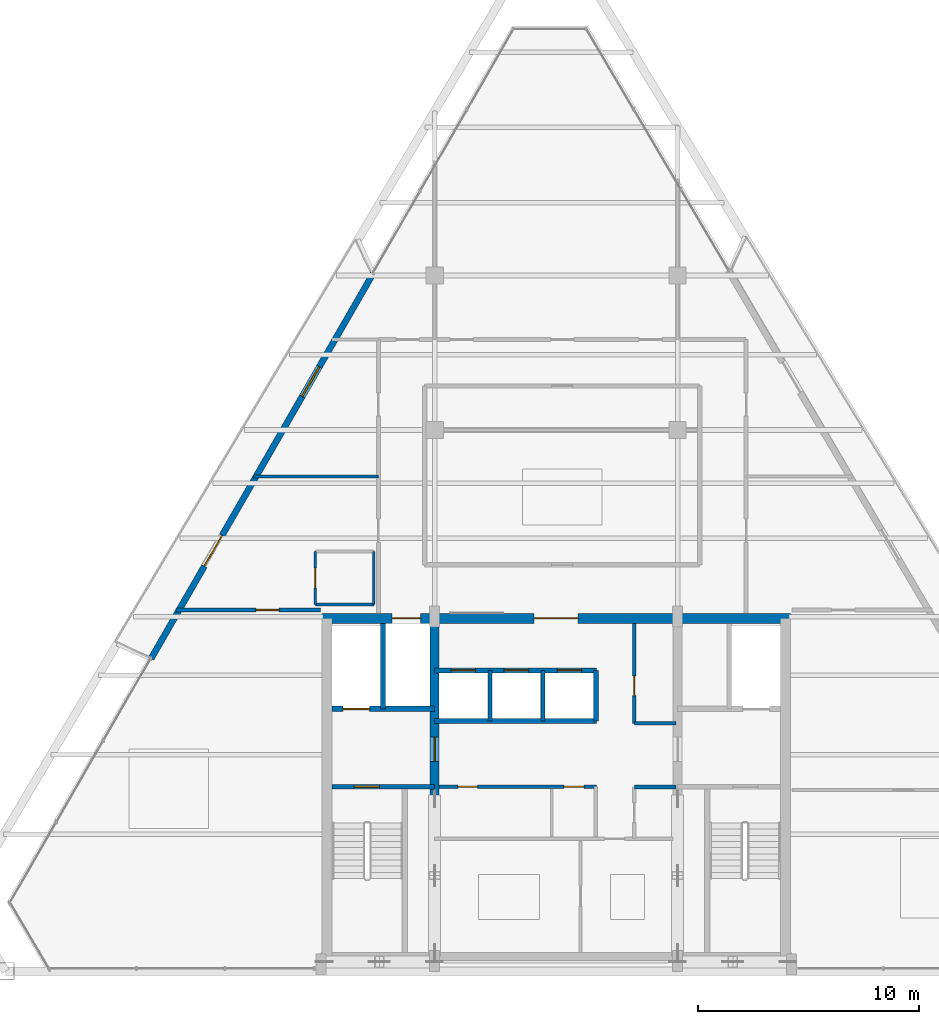
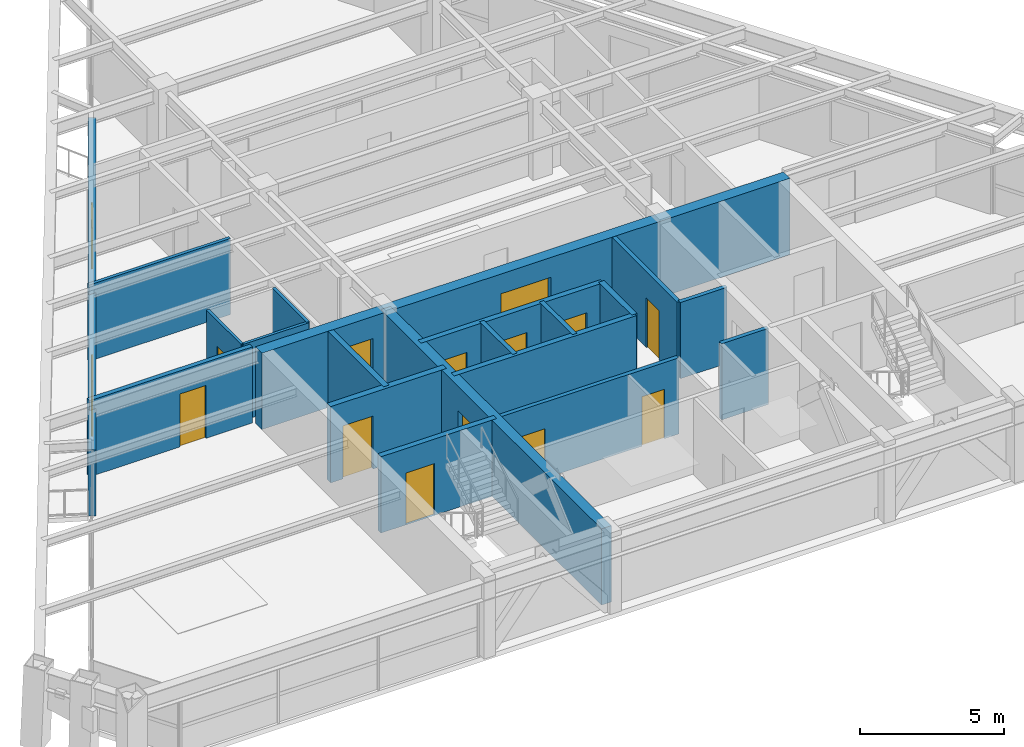
# One storey, part 9 of 13: 20 walls, 14 doors, 1 window, 15 openings.
"""IFC4 building model written with IfcOpenShell, lengths in metres."""

from ifc_helpers import new_model, si_unit, direction, frame, frame_2d, origin, place, context, subcontext, project, spatial, rectangle, extrude, source, transform, mapped, material, layer, layer_set, type_object, type_shapes, element, fill, save


model = new_model("IFC4")

# Units and contexts
model_context = context("Model", 3, precision=1e-05, world=origin(), true_north=direction((0.0, 1.0)))
body_context = subcontext(model_context, "Body", "Model", "MODEL_VIEW")
ifc_project = project(units=[si_unit("LENGTHUNIT", "METRE"), si_unit("AREAUNIT", "SQUARE_METRE"), si_unit("VOLUMEUNIT", "CUBIC_METRE"), si_unit("PLANEANGLEUNIT", "RADIAN"), si_unit("MASSUNIT", "GRAM", prefix="KILO")], contexts=[model_context])

# Site, building, storey
site_placement = place(None, origin())
site = spatial("IfcSite", under=ifc_project, at=site_placement, CompositionType="ELEMENT")
building_placement = place(site_placement, origin())
building = spatial("IfcBuilding", under=site, at=building_placement, Name="Varnakhor Terracotta Tower", CompositionType="ELEMENT")
storey_placement = place(building_placement, frame((0.0, 0.0, 279.89990234375)))
storey = spatial("IfcBuildingStorey", under=building, at=storey_placement, Name="L73", CompositionType="ELEMENT", Elevation=279.89990234375)

# Wall
ifc_material_1 = material(Name="Moisture-Resistant Tile-Backed Partition", Category="gypsum")
ifc_layer_1 = layer(ifc_material_1, 0.114990234375, Name="Moisture-Resistant Tile-Backed Partition")
ifc_layer_set_1 = layer_set([ifc_layer_1], Name="Moisture-Resistant Tile-Backed Partition")
wall_type_1 = type_object("IfcWallType", Name="WAL-BATH-115", PredefinedType="PARTITIONING", material=ifc_layer_set_1)
wall_1_placement = place(storey_placement, frame((-10.89990234375, 16.60009765625, 0.0), z_axis=(0.0, 0.0, 1.0), x_axis=(1.0, 0.0, 0.0)))
element("IfcWall", 1, at=wall_1_placement, inside=storey, type_object=wall_type_1, Name="L73 En-Suite 1 Wall S", PredefinedType="PARTITIONING", context=body_context, shape_type="SweptSolid", body=[
    extrude(rectangle(XDim=2.64990234375, YDim=0.114990234375, at=frame_2d((1.324951171875, 0.0))), origin(), (0.0, 0.0, 1.0), 3.232177734375),
])

# Wall, opening, door
wall_2_placement = place(storey_placement, frame((-10.89990234375, 16.60009765625, 0.0), z_axis=(0.0, 0.0, 1.0), x_axis=(0.0, 1.0, 0.0)))
wall_2 = element("IfcWall", 2, at=wall_2_placement, inside=storey, type_object=wall_type_1, Name="L73 En-Suite 1 Wall W", PredefinedType="PARTITIONING", context=body_context, shape_type="SweptSolid", body=[
    extrude(rectangle(XDim=2.39990234375, YDim=0.114990234375, at=frame_2d((1.199951171875, 0.0))), origin(), (0.0, 0.0, 1.0), 3.232177734375),
])
opening_1_placement = place(wall_2_placement, frame((0.75, 0.0, 0.0)))
opening_1 = element("IfcOpeningElement", 3, at=opening_1_placement, cuts=wall_2, Name="Opening DR-93", PredefinedType="OPENING", context=body_context, shape_type="SweptSolid", body=[
    extrude(rectangle(XDim=0.89990234375, YDim=2.14990234375, at=frame_2d((0.449951171875, 1.074951171875))), frame((0.0, 0.0673828125, 0.0), z_axis=(0.0, -1.0, 0.0), x_axis=(1.0, 0.0, 0.0)), (0.0, 0.0, 1.0), 0.135009765625),
])
ifc_material_2 = material(Name="Moisture-Resistant Accessible Bathroom Door", Category="wood")
door_type_1 = type_object("IfcDoorType", Name="DR-BATH-900X2150", OperationType="NOTDEFINED", PredefinedType="DOOR", material=ifc_material_2)
shared_shape_1 = source(origin(), body_context, "Body", "SweptSolid", [
    extrude(rectangle(XDim=0.89990234375, YDim=2.14990234375, at=frame_2d((0.449951171875, 1.074951171875))), frame((0.0, 0.02490234375, 0.0), z_axis=(0.0, -1.0, 0.0), x_axis=(1.0, 0.0, 0.0)), (0.0, 0.0, 1.0), 0.050048828125),
])
type_shapes(door_type_1, [shared_shape_1])
door_1_placement = place(opening_1_placement, origin())
door_1 = element("IfcDoor", 4, at=door_1_placement, inside=storey, type_object=door_type_1, Name="L73 En-Suite Bathroom 1 Door", OperationType="SINGLE_SWING_RIGHT", OverallHeight=2.14990234375, OverallWidth=0.89990234375, PredefinedType="DOOR", context=body_context, shape_type="MappedRepresentation", body=[
    mapped(shared_shape_1, transform((0.0, 0.0, 0.0), scale=1.0)),
])
fill(opening_1, door_1)

# Wall
wall_3_placement = place(storey_placement, frame((-8.25, 16.60009765625, 0.0), z_axis=(0.0, 0.0, 1.0), x_axis=(0.0, 1.0, 0.0)))
element("IfcWall", 5, at=wall_3_placement, inside=storey, type_object=wall_type_1, Name="L73 En-Suite 1 Wall E", PredefinedType="PARTITIONING", context=body_context, shape_type="SweptSolid", body=[
    extrude(rectangle(XDim=2.39990234375, YDim=0.114990234375, at=frame_2d((1.199951171875, 0.0))), origin(), (0.0, 0.0, 1.0), 3.232177734375),
])

# Wall, openings, doors
ifc_material_3 = material(Name="Concrete C50/60", Category="concrete")
ifc_layer_2 = layer(ifc_material_3, 0.449951171875, Name="Concrete C50/60")
ifc_layer_set_2 = layer_set([ifc_layer_2], Name="Concrete C50/60")
wall_type_2 = type_object("IfcWallType", Name="WAL-CORE-450", PredefinedType="SHEAR", material=ifc_layer_set_2)
wall_4_placement = place(storey_placement, frame((-10.60009765625, 15.97509765625, 0.0), z_axis=(0.0, 0.0, 1.0), x_axis=(1.0, 0.0, 0.0)))
wall_4 = element("IfcWall", 6, at=wall_4_placement, inside=storey, type_object=wall_type_2, Name="L73 North Core Shear Wall", PredefinedType="SHEAR", context=body_context, shape_type="SweptSolid", body=[
    extrude(rectangle(XDim=21.2001953125, YDim=0.449951171875, at=frame_2d((10.60009765625, 0.0))), origin(), (0.0, 0.0, 1.0), 3.239990234375),
])
opening_2_placement = place(wall_4_placement, frame((3.169921875, 0.0, 0.0)))
opening_2 = element("IfcOpeningElement", 7, at=opening_2_placement, cuts=wall_4, Name="Opening LD-03", PredefinedType="OPENING", context=body_context, shape_type="SweptSolid", body=[
    extrude(rectangle(XDim=1.300048828125, YDim=2.300048828125, at=frame_2d((0.64990234375, 1.14990234375))), frame((0.0, 0.23486328125, 0.0), z_axis=(0.0, -1.0, 0.0), x_axis=(1.0, 0.0, 0.0)), (0.0, 0.0, 1.0), 0.469970703125),
])
opening_3_placement = place(wall_4_placement, frame((9.60009765625, 0.0, 0.0)))
opening_3 = element("IfcOpeningElement", 8, at=opening_3_placement, cuts=wall_4, Name="Opening DR-32", PredefinedType="OPENING", context=body_context, shape_type="SweptSolid", body=[
    extrude(rectangle(XDim=2.0, YDim=2.39990234375, at=frame_2d((1.0, 1.199951171875))), frame((0.0, 0.23486328125, 0.0), z_axis=(0.0, -1.0, 0.0), x_axis=(1.0, 0.0, 0.0)), (0.0, 0.0, 1.0), 0.469970703125),
])
ifc_material_4 = material(Name="Heavy-Duty Goods Sliding Lift Landing Door", Category="steel")
door_type_2 = type_object("IfcDoorType", Name="LD-SRV-1300X2300", OperationType="NOTDEFINED", PredefinedType="DOOR", material=ifc_material_4)
shared_shape_2 = source(origin(), body_context, "Body", "SweptSolid", [
    extrude(rectangle(XDim=1.300048828125, YDim=2.300048828125, at=frame_2d((0.64990234375, 1.14990234375))), frame((0.0, 0.02490234375, 0.0), z_axis=(0.0, -1.0, 0.0), x_axis=(1.0, 0.0, 0.0)), (0.0, 0.0, 1.0), 0.050048828125),
])
type_shapes(door_type_2, [shared_shape_2])
door_2_placement = place(opening_2_placement, origin())
door_2 = element("IfcDoor", 9, at=door_2_placement, inside=storey, type_object=door_type_2, Name="L73 Service Lift SVL-1 Landing Door", OperationType="SLIDING_TO_RIGHT", OverallHeight=2.300048828125, OverallWidth=1.300048828125, PredefinedType="DOOR", context=body_context, shape_type="MappedRepresentation", body=[
    mapped(shared_shape_2, transform((0.0, 0.0, 0.0), scale=1.0)),
])
fill(opening_2, door_2)
ifc_material_5 = material(Name="Acoustic Double Assembly Fire Door", Category="wood")
door_type_3 = type_object("IfcDoorType", Name="DR-HALL-2000X2400", OperationType="NOTDEFINED", PredefinedType="DOOR", material=ifc_material_5)
shared_shape_3 = source(origin(), body_context, "Body", "SweptSolid", [
    extrude(rectangle(XDim=2.0, YDim=2.39990234375, at=frame_2d((1.0, 1.199951171875))), frame((0.0, 0.02490234375, 0.0), z_axis=(0.0, -1.0, 0.0), x_axis=(1.0, 0.0, 0.0)), (0.0, 0.0, 1.0), 0.050048828125),
])
type_shapes(door_type_3, [shared_shape_3])
door_3_placement = place(opening_3_placement, origin())
door_3 = element("IfcDoor", 10, at=door_3_placement, inside=storey, type_object=door_type_3, Name="L73 Core Main Lobby Double Door", OperationType="DOUBLE_DOOR_SINGLE_SWING", OverallHeight=2.39990234375, OverallWidth=2.0, PredefinedType="DOOR", context=body_context, shape_type="MappedRepresentation", body=[
    mapped(shared_shape_3, transform((0.0, 0.0, 0.0), scale=1.0)),
])
fill(opening_3, door_3)

# Wall, opening, door
ifc_layer_3 = layer(ifc_material_3, 0.39990234375, Name="Concrete C50/60")
ifc_layer_set_3 = layer_set([ifc_layer_3], Name="Concrete C50/60")
wall_type_3 = type_object("IfcWallType", Name="WAL-CORE-WEB-400", PredefinedType="SHEAR", material=ifc_layer_set_3)
wall_5_placement = place(storey_placement, frame((-5.5, 0.625, 0.0), z_axis=(0.0, 0.0, 1.0), x_axis=(0.0, 1.0, 0.0)))
wall_5 = element("IfcWall", 11, at=wall_5_placement, inside=storey, type_object=wall_type_3, Name="L73 West Core Web Shear Wall", PredefinedType="SHEAR", context=body_context, shape_type="SweptSolid", body=[
    extrude(rectangle(XDim=15.35009765625, YDim=0.39990234375, at=frame_2d((7.675048828125, 0.0))), origin(), (0.0, 0.0, 1.0), 3.239990234375),
])
opening_4_placement = place(wall_5_placement, frame((8.875, 0.0, 0.0)))
opening_4 = element("IfcOpeningElement", 12, at=opening_4_placement, cuts=wall_5, Name="Opening DR-25", PredefinedType="OPENING", context=body_context, shape_type="SweptSolid", body=[
    extrude(rectangle(XDim=1.10009765625, YDim=2.199951171875, at=frame_2d((0.550048828125, 1.10009765625))), frame((0.0, 0.2099609375, 0.0), z_axis=(0.0, -1.0, 0.0), x_axis=(1.0, 0.0, 0.0)), (0.0, 0.0, 1.0), 0.419921875),
])
ifc_material_6 = material(Name="Firefighting Lobby Self-Closing Fire Door", Category="steel")
door_type_4 = type_object("IfcDoorType", Name="DR-FFL-1100X2200", OperationType="NOTDEFINED", PredefinedType="DOOR", material=ifc_material_6)
shared_shape_4 = source(origin(), body_context, "Body", "SweptSolid", [
    extrude(rectangle(XDim=1.10009765625, YDim=2.199951171875, at=frame_2d((0.550048828125, 1.10009765625))), frame((0.0, 0.02490234375, 0.0), z_axis=(0.0, -1.0, 0.0), x_axis=(1.0, 0.0, 0.0)), (0.0, 0.0, 1.0), 0.050048828125),
])
type_shapes(door_type_4, [shared_shape_4])
door_4_placement = place(opening_4_placement, origin())
door_4 = element("IfcDoor", 13, at=door_4_placement, inside=storey, type_object=door_type_4, Name="L73 West Firefighting Lobby Door", OperationType="SINGLE_SWING_LEFT", OverallHeight=2.199951171875, OverallWidth=1.10009765625, PredefinedType="DOOR", context=body_context, shape_type="MappedRepresentation", body=[
    mapped(shared_shape_4, transform((0.0, 0.0, 0.0), scale=1.0)),
])
fill(opening_4, door_4)

ifc_material_7 = material(Name="Fire-Rated Gypsum Stud Partition", Category="gypsum")
ifc_layer_4 = layer(ifc_material_7, 0.18505859375, Name="Fire-Rated Gypsum Stud Partition")
ifc_layer_set_4 = layer_set([ifc_layer_4], Name="Fire-Rated Gypsum Stud Partition")
wall_type_4 = type_object("IfcWallType", Name="WAL-CORR-185", PredefinedType="PARTITIONING", material=ifc_layer_set_4)
wall_6_placement = place(storey_placement, frame((-17.2216796875, 16.35009765625, 0.0), z_axis=(0.0, 0.0, 1.0), x_axis=(1.0, 0.0, 0.0)))
wall_6 = element("IfcWall", 14, at=wall_6_placement, inside=storey, type_object=wall_type_4, Name="L73 South West Guest Entry Wall", PredefinedType="PARTITIONING", context=body_context, shape_type="SweptSolid", body=[
    extrude(rectangle(XDim=6.541748046875, YDim=0.18505859375, at=frame_2d((3.27099609375, 0.0))), origin(), (0.0, 0.0, 1.0), 3.232177734375),
])
opening_5_placement = place(wall_6_placement, frame((3.625, 0.0, 0.0)))
opening_5 = element("IfcOpeningElement", 15, at=opening_5_placement, cuts=wall_6, Name="Opening DR-95", PredefinedType="OPENING", context=body_context, shape_type="SweptSolid", body=[
    extrude(rectangle(XDim=1.050048828125, YDim=2.25, at=frame_2d((0.52490234375, 1.125))), frame((0.0, 0.1025390625, 0.0), z_axis=(0.0, -1.0, 0.0), x_axis=(1.0, 0.0, 0.0)), (0.0, 0.0, 1.0), 0.205078125),
])
ifc_material_8 = material(Name="Solid-Core Timber Tenant/Hotel Entrance Door", Category="wood")
door_type_5 = type_object("IfcDoorType", Name="DR-SUITE-1050X2250", OperationType="NOTDEFINED", PredefinedType="DOOR", material=ifc_material_8)
shared_shape_5 = source(origin(), body_context, "Body", "SweptSolid", [
    extrude(rectangle(XDim=1.050048828125, YDim=2.25, at=frame_2d((0.52490234375, 1.125))), frame((0.0, 0.02490234375, 0.0), z_axis=(0.0, -1.0, 0.0), x_axis=(1.0, 0.0, 0.0)), (0.0, 0.0, 1.0), 0.050048828125),
])
type_shapes(door_type_5, [shared_shape_5])
door_5_placement = place(opening_5_placement, origin())
door_5 = element("IfcDoor", 16, at=door_5_placement, inside=storey, type_object=door_type_5, Name="L73 SW Suite Entry Door", OperationType="SINGLE_SWING_RIGHT", OverallHeight=2.25, OverallWidth=1.050048828125, PredefinedType="DOOR", context=body_context, shape_type="MappedRepresentation", body=[
    mapped(shared_shape_5, transform((0.0, 0.0, 0.0), scale=1.0)),
])
fill(opening_5, door_5)

# Wall, openings, door, window
ifc_material_9 = material(Name="Extruded Architectural Terracotta Assembly", Category="masonry")
ifc_layer_5 = layer(ifc_material_9, 0.280029296875, Name="Extruded Architectural Terracotta Assembly")
ifc_layer_set_5 = layer_set([ifc_layer_5], Name="Extruded Architectural Terracotta Assembly")
wall_type_5 = type_object("IfcWallType", Name="WAL-EXT-TERRACOTTA-280", PredefinedType="SOLIDWALL", material=ifc_layer_set_5)
wall_7_placement = place(storey_placement, frame((-18.340087890625, 14.14990234375, 0.0), z_axis=(0.0, 0.0, 1.0), x_axis=(0.499519590366, 0.866302590808, 0.0)))
wall_7 = element("IfcWall", 17, at=wall_7_placement, inside=storey, type_object=wall_type_5, Name="L73 W Loggia Insulated Terracotta Wall", PredefinedType="SOLIDWALL", context=body_context, shape_type="SweptSolid", body=[
    extrude(rectangle(XDim=20.143798828125, YDim=0.280029296875, at=frame_2d((10.07177734375, 0.0))), origin(), (0.0, 0.0, 1.0), 2.820068359375),
])
opening_6_placement = place(wall_7_placement, frame((4.83447265625, 0.0, 0.0)))
opening_6 = element("IfcOpeningElement", 18, at=opening_6_placement, cuts=wall_7, Name="Opening DR-62", PredefinedType="OPENING", context=body_context, shape_type="SweptSolid", body=[
    extrude(rectangle(XDim=1.60009765625, YDim=2.35009765625, at=frame_2d((0.800048828125, 1.175048828125))), frame((0.0, 0.14990234375, 0.0), z_axis=(0.0, -1.0, 0.0), x_axis=(1.0, 0.0, 0.0)), (0.0, 0.0, 1.0), 0.300048828125),
])
opening_7_placement = place(wall_7_placement, frame((13.697998046875, 0.0, 0.89990234375)))
opening_7 = element("IfcOpeningElement", 19, at=opening_7_placement, cuts=wall_7, Name="Opening WN-59", PredefinedType="OPENING", context=body_context, shape_type="SweptSolid", body=[
    extrude(rectangle(XDim=1.550048828125, YDim=1.75, at=frame_2d((0.77490234375, 0.875))), frame((0.0, 0.14990234375, 0.0), z_axis=(0.0, -1.0, 0.0), x_axis=(1.0, 0.0, 0.0)), (0.0, 0.0, 1.0), 0.300048828125),
])
ifc_material_10 = material(Name="Thermally Broken Sliding Glass Loggia Door", Category="glass")
door_type_6 = type_object("IfcDoorType", Name="DR-EXT-LOGGIA-1600X2350", OperationType="NOTDEFINED", PredefinedType="DOOR", material=ifc_material_10)
shared_shape_6 = source(origin(), body_context, "Body", "SweptSolid", [
    extrude(rectangle(XDim=1.60009765625, YDim=2.35009765625, at=frame_2d((0.800048828125, 1.175048828125))), frame((0.0, 0.02490234375, 0.0), z_axis=(0.0, -1.0, 0.0), x_axis=(1.0, 0.0, 0.0)), (0.0, 0.0, 1.0), 0.050048828125),
])
type_shapes(door_type_6, [shared_shape_6])
door_6_placement = place(opening_6_placement, origin())
door_6 = element("IfcDoor", 20, at=door_6_placement, inside=storey, type_object=door_type_6, Name="L73 W Recessed Loggia Sliding Door", OperationType="SLIDING_TO_LEFT", OverallHeight=2.35009765625, OverallWidth=1.60009765625, PredefinedType="DOOR", context=body_context, shape_type="MappedRepresentation", body=[
    mapped(shared_shape_6, transform((0.0, 0.0, 0.0), scale=1.0)),
])
fill(opening_6, door_6)
ifc_material_11 = material(Name="Solar-Control Low-E Insulated Glass Unit", Category="glass")
window_type = type_object("IfcWindowType", Name="WIN-HTL-1500X1950", PartitioningType="SINGLE_PANEL", PredefinedType="WINDOW", material=ifc_material_11)
shared_shape_7 = source(origin(), body_context, "Body", "SweptSolid", [
    extrude(rectangle(XDim=1.550048828125, YDim=1.75, at=frame_2d((0.77490234375, 0.875))), frame((0.0, 0.030029296875, 0.0), z_axis=(0.0, -1.0, 0.0), x_axis=(1.0, 0.0, 0.0)), (0.0, 0.0, 1.0), 0.06005859375),
])
type_shapes(window_type, [shared_shape_7])
window_placement = place(opening_7_placement, origin())
window = element("IfcWindow", 21, at=window_placement, inside=storey, type_object=window_type, Name="L73 W Facet Punched Window", OverallHeight=1.75, OverallWidth=1.550048828125, PartitioningType="SINGLE_PANEL", PredefinedType="WINDOW", context=body_context, shape_type="MappedRepresentation", body=[
    mapped(shared_shape_7, transform((0.0, 0.0, 0.0), scale=1.0)),
])
fill(opening_7, window)

# Wall, opening, door
ifc_material_12 = material(Name="Concrete C40/50", Category="concrete")
ifc_layer_6 = layer(ifc_material_12, 0.219970703125, Name="Concrete C40/50")
ifc_layer_set_6 = layer_set([ifc_layer_6], Name="Concrete C40/50")
wall_type_6 = type_object("IfcWallType", Name="WAL-FFLOBBY-220", PredefinedType="SOLIDWALL", material=ifc_layer_set_6)
wall_8_placement = place(storey_placement, frame((-5.5, 8.35009765625, 0.0), z_axis=(0.0, 0.0, 1.0), x_axis=(-1.0, 0.0, 0.0)))
wall_8 = element("IfcWall", 22, at=wall_8_placement, inside=storey, type_object=wall_type_6, Name="L73 West Firefighting Lobby Stair Wall", PredefinedType="SOLIDWALL", context=body_context, shape_type="SweptSolid", body=[
    extrude(rectangle(XDim=4.64990234375, YDim=0.219970703125, at=frame_2d((2.324951171875, 0.0))), origin(), (0.0, 0.0, 1.0), 3.239990234375),
])
opening_8_placement = place(wall_8_placement, frame((2.5, 0.0, 0.0)))
opening_8 = element("IfcOpeningElement", 23, at=opening_8_placement, cuts=wall_8, Name="Opening DR-34", PredefinedType="OPENING", context=body_context, shape_type="SweptSolid", body=[
    extrude(rectangle(XDim=1.14990234375, YDim=2.199951171875, at=frame_2d((0.574951171875, 1.10009765625))), frame((0.0, 0.1201171875, 0.0), z_axis=(0.0, -1.0, 0.0), x_axis=(1.0, 0.0, 0.0)), (0.0, 0.0, 1.0), 0.239990234375),
])
ifc_material_13 = material(Name="Self-Closing Smoke-Sealed Steel Fire Door", Category="steel")
door_type_7 = type_object("IfcDoorType", Name="DR-STAIR-1150X2200", OperationType="NOTDEFINED", PredefinedType="DOOR", material=ifc_material_13)
shared_shape_8 = source(origin(), body_context, "Body", "SweptSolid", [
    extrude(rectangle(XDim=1.14990234375, YDim=2.199951171875, at=frame_2d((0.574951171875, 1.10009765625))), frame((0.0, 0.02490234375, 0.0), z_axis=(0.0, -1.0, 0.0), x_axis=(1.0, 0.0, 0.0)), (0.0, 0.0, 1.0), 0.050048828125),
])
type_shapes(door_type_7, [shared_shape_8])
door_7_placement = place(opening_8_placement, origin())
door_7 = element("IfcDoor", 24, at=door_7_placement, inside=storey, type_object=door_type_7, Name="L73 Exit Stair ST-1 Fire Door", OperationType="SINGLE_SWING_RIGHT", OverallHeight=2.199951171875, OverallWidth=1.14990234375, PredefinedType="DOOR", context=body_context, shape_type="MappedRepresentation", body=[
    mapped(shared_shape_8, transform((0.0, 0.0, 0.0), scale=1.0)),
])
fill(opening_8, door_7)

# Walls
ifc_material_14 = material(Name="Acoustic Hotel Room Partition", Category="gypsum")
ifc_layer_7 = layer(ifc_material_14, 0.1298828125, Name="Acoustic Hotel Room Partition")
ifc_layer_set_7 = layer_set([ifc_layer_7], Name="Acoustic Hotel Room Partition")
wall_type_7 = type_object("IfcWallType", Name="WAL-PART-130", PredefinedType="PARTITIONING", material=ifc_layer_set_7)
wall_9_placement = place(storey_placement, frame((-13.733154296875, 22.39990234375, 0.0), z_axis=(0.0, 0.0, 1.0), x_axis=(1.0, 0.0, 0.0)))
element("IfcWall", 25, at=wall_9_placement, inside=storey, type_object=wall_type_7, Name="L73 West Key Cut 1", PredefinedType="PARTITIONING", context=body_context, shape_type="SweptSolid", body=[
    extrude(rectangle(XDim=5.68310546875, YDim=0.1298828125, at=frame_2d((2.841552734375, 0.0))), origin(), (0.0, 0.0, 1.0), 3.232177734375),
])
ifc_layer_8 = layer(ifc_material_12, 0.179931640625, Name="Concrete C40/50")
ifc_layer_set_8 = layer_set([ifc_layer_8], Name="Concrete C40/50")
wall_type_8 = type_object("IfcWallType", Name="WAL-SHAFT-180", PredefinedType="SOLIDWALL", material=ifc_layer_set_8)
for number, where, z_axis, x_axis, name in (
    (26, (-3.0, 11.320068359375, 0.0), (0.0, 0.0, 1.0), (0.0, 1.0, 0.0), "L73 PL-3A Divider"),
    (27, (-0.60009765625, 11.320068359375, 0.0), (0.0, 0.0, 1.0), (0.0, 1.0, 0.0), "L73 PL-3B Divider"),
):
    element("IfcWall", number, at=place(storey_placement, frame(where, z_axis=z_axis, x_axis=x_axis)), inside=storey, type_object=wall_type_8, Name=name, PredefinedType="SOLIDWALL", context=body_context, shape_type="SweptSolid", body=[
        extrude(rectangle(XDim=2.300048828125, YDim=0.179931640625, at=frame_2d((1.14990234375, 0.0))), origin(), (0.0, 0.0, 1.0), 3.239990234375),
    ])
ifc_layer_9 = layer(ifc_material_12, 0.219970703125, Name="Concrete C40/50")
ifc_layer_set_9 = layer_set([ifc_layer_9], Name="Concrete C40/50")
wall_type_9 = type_object("IfcWallType", Name="WAL-SHAFT-220", PredefinedType="SOLIDWALL", material=ifc_layer_set_9)
wall_10_placement = place(storey_placement, frame((-7.840087890625, 11.8701171875, 0.0), z_axis=(0.0, 0.0, 1.0), x_axis=(0.0, 1.0, 0.0)))
element("IfcWall", 28, at=wall_10_placement, inside=storey, type_object=wall_type_9, Name="L73 Lift FFL-1 and SVL-1 Divider Wall", PredefinedType="SOLIDWALL", context=body_context, shape_type="SweptSolid", body=[
    extrude(rectangle(XDim=3.8798828125, YDim=0.219970703125, at=frame_2d((1.93994140625, 0.0))), origin(), (0.0, 0.0, 1.0), 3.239990234375),
])
wall_11_placement = place(storey_placement, frame((-5.5, 11.320068359375, 0.0), z_axis=(0.0, 0.0, 1.0), x_axis=(1.0, 0.0, 0.0)))
element("IfcWall", 29, at=wall_11_placement, inside=storey, type_object=wall_type_9, Name="L73 Bank 3 South Shaft Wall", PredefinedType="SOLIDWALL", context=body_context, shape_type="SweptSolid", body=[
    extrude(rectangle(XDim=7.320068359375, YDim=0.219970703125, at=frame_2d((3.66015625, 0.0))), origin(), (0.0, 0.0, 1.0), 3.239990234375),
])

# Wall, openings, doors
wall_12_placement = place(storey_placement, frame((-5.5, 13.6201171875, 0.0), z_axis=(0.0, 0.0, 1.0), x_axis=(1.0, 0.0, 0.0)))
wall_12 = element("IfcWall", 30, at=wall_12_placement, inside=storey, type_object=wall_type_9, Name="L73 Bank 3 North Shaft Wall", PredefinedType="SOLIDWALL", context=body_context, shape_type="SweptSolid", body=[
    extrude(rectangle(XDim=7.320068359375, YDim=0.219970703125, at=frame_2d((3.66015625, 0.0))), origin(), (0.0, 0.0, 1.0), 3.239990234375),
])
opening_9_placement = place(wall_12_placement, frame((0.75, 0.0, 0.0)))
opening_9 = element("IfcOpeningElement", 31, at=opening_9_placement, cuts=wall_12, Name="Opening LD-01", PredefinedType="OPENING", context=body_context, shape_type="SweptSolid", body=[
    extrude(rectangle(XDim=1.10009765625, YDim=2.199951171875, at=frame_2d((0.550048828125, 1.10009765625))), frame((0.0, 0.1201171875, 0.0), z_axis=(0.0, -1.0, 0.0), x_axis=(1.0, 0.0, 0.0)), (0.0, 0.0, 1.0), 0.239990234375),
])
opening_10_placement = place(wall_12_placement, frame((3.14990234375, 0.0, 0.0)))
opening_10 = element("IfcOpeningElement", 32, at=opening_10_placement, cuts=wall_12, Name="Opening LD-01", PredefinedType="OPENING", context=body_context, shape_type="SweptSolid", body=[
    extrude(rectangle(XDim=1.10009765625, YDim=2.199951171875, at=frame_2d((0.550048828125, 1.10009765625))), frame((0.0, 0.1201171875, 0.0), z_axis=(0.0, -1.0, 0.0), x_axis=(1.0, 0.0, 0.0)), (0.0, 0.0, 1.0), 0.239990234375),
])
opening_11_placement = place(wall_12_placement, frame((5.550048828125, 0.0, 0.0)))
opening_11 = element("IfcOpeningElement", 33, at=opening_11_placement, cuts=wall_12, Name="Opening LD-01", PredefinedType="OPENING", context=body_context, shape_type="SweptSolid", body=[
    extrude(rectangle(XDim=1.10009765625, YDim=2.199951171875, at=frame_2d((0.550048828125, 1.10009765625))), frame((0.0, 0.1201171875, 0.0), z_axis=(0.0, -1.0, 0.0), x_axis=(1.0, 0.0, 0.0)), (0.0, 0.0, 1.0), 0.239990234375),
])
ifc_material_15 = material(Name="Brushed Stainless Steel Sliding Lift Landing Door", Category="steel")
door_type_8 = type_object("IfcDoorType", Name="LD-PASS-1100X2200", OperationType="NOTDEFINED", PredefinedType="DOOR", material=ifc_material_15)
shared_shape_9 = source(origin(), body_context, "Body", "SweptSolid", [
    extrude(rectangle(XDim=1.10009765625, YDim=2.199951171875, at=frame_2d((0.550048828125, 1.10009765625))), frame((0.0, 0.02490234375, 0.0), z_axis=(0.0, -1.0, 0.0), x_axis=(1.0, 0.0, 0.0)), (0.0, 0.0, 1.0), 0.050048828125),
])
type_shapes(door_type_8, [shared_shape_9])
door_8_placement = place(opening_9_placement, origin())
door_8 = element("IfcDoor", 34, at=door_8_placement, inside=storey, type_object=door_type_8, Name="L73 Passenger Lift PL-3A Landing Door", OperationType="SLIDING_TO_RIGHT", OverallHeight=2.199951171875, OverallWidth=1.10009765625, PredefinedType="DOOR", context=body_context, shape_type="MappedRepresentation", body=[
    mapped(shared_shape_9, transform((0.0, 0.0, 0.0), scale=1.0)),
])
fill(opening_9, door_8)
door_9_placement = place(opening_10_placement, origin())
door_9 = element("IfcDoor", 35, at=door_9_placement, inside=storey, type_object=door_type_8, Name="L73 Passenger Lift PL-3B Landing Door", OperationType="SLIDING_TO_RIGHT", OverallHeight=2.199951171875, OverallWidth=1.10009765625, PredefinedType="DOOR", context=body_context, shape_type="MappedRepresentation", body=[
    mapped(shared_shape_9, transform((0.0, 0.0, 0.0), scale=1.0)),
])
fill(opening_10, door_9)
door_10_placement = place(opening_11_placement, origin())
door_10 = element("IfcDoor", 36, at=door_10_placement, inside=storey, type_object=door_type_8, Name="L73 Passenger Lift PL-3C Landing Door", OperationType="SLIDING_TO_RIGHT", OverallHeight=2.199951171875, OverallWidth=1.10009765625, PredefinedType="DOOR", context=body_context, shape_type="MappedRepresentation", body=[
    mapped(shared_shape_9, transform((0.0, 0.0, 0.0), scale=1.0)),
])
fill(opening_11, door_10)

# Wall
wall_13_placement = place(storey_placement, frame((1.800048828125, 11.320068359375, 0.0), z_axis=(0.0, 0.0, 1.0), x_axis=(0.0, 1.0, 0.0)))
element("IfcWall", 37, at=wall_13_placement, inside=storey, type_object=wall_type_9, Name="L73 Bank 3 East Shaft Wall", PredefinedType="SOLIDWALL", context=body_context, shape_type="SweptSolid", body=[
    extrude(rectangle(XDim=2.300048828125, YDim=0.219970703125, at=frame_2d((1.14990234375, 0.0))), origin(), (0.0, 0.0, 1.0), 3.239990234375),
])

# Wall, opening, door
ifc_layer_10 = layer(ifc_material_12, 0.25, Name="Concrete C40/50")
ifc_layer_set_10 = layer_set([ifc_layer_10], Name="Concrete C40/50")
wall_type_10 = type_object("IfcWallType", Name="WAL-SHAFT-250", PredefinedType="SOLIDWALL", material=ifc_layer_set_10)
wall_14_placement = place(storey_placement, frame((-5.5, 11.8701171875, 0.0), z_axis=(0.0, 0.0, 1.0), x_axis=(-1.0, 0.0, 0.0)))
wall_14 = element("IfcWall", 38, at=wall_14_placement, inside=storey, type_object=wall_type_10, Name="L73 Lift FFL-1 Shaft Front Wall", PredefinedType="SOLIDWALL", context=body_context, shape_type="SweptSolid", body=[
    extrude(rectangle(XDim=4.64990234375, YDim=0.25, at=frame_2d((2.324951171875, 0.0))), origin(), (0.0, 0.0, 1.0), 3.239990234375),
])
opening_12_placement = place(wall_14_placement, frame((2.949951171875, 0.0, 0.0)))
opening_12 = element("IfcOpeningElement", 39, at=opening_12_placement, cuts=wall_14, Name="Opening LD-02", PredefinedType="OPENING", context=body_context, shape_type="SweptSolid", body=[
    extrude(rectangle(XDim=1.199951171875, YDim=2.25, at=frame_2d((0.60009765625, 1.125))), frame((0.0, 0.135009765625, 0.0), z_axis=(0.0, -1.0, 0.0), x_axis=(1.0, 0.0, 0.0)), (0.0, 0.0, 1.0), 0.27001953125),
])
ifc_material_16 = material(Name="Firefighting Stretcher Sliding Lift Landing Door", Category="steel")
door_type_9 = type_object("IfcDoorType", Name="LD-FFL-1200X2250", OperationType="NOTDEFINED", PredefinedType="DOOR", material=ifc_material_16)
shared_shape_10 = source(origin(), body_context, "Body", "SweptSolid", [
    extrude(rectangle(XDim=1.199951171875, YDim=2.25, at=frame_2d((0.60009765625, 1.125))), frame((0.0, 0.02490234375, 0.0), z_axis=(0.0, -1.0, 0.0), x_axis=(1.0, 0.0, 0.0)), (0.0, 0.0, 1.0), 0.050048828125),
])
type_shapes(door_type_9, [shared_shape_10])
door_11_placement = place(opening_12_placement, origin())
door_11 = element("IfcDoor", 40, at=door_11_placement, inside=storey, type_object=door_type_9, Name="L73 Firefighting Lift FFL-1 Landing Door", OperationType="SLIDING_TO_LEFT", OverallHeight=2.25, OverallWidth=1.199951171875, PredefinedType="DOOR", context=body_context, shape_type="MappedRepresentation", body=[
    mapped(shared_shape_10, transform((0.0, 0.0, 0.0), scale=1.0)),
])
fill(opening_12, door_11)

# Wall
ifc_material_17 = material(Name="Acoustic Fire-Rated Partition", Category="gypsum")
ifc_layer_11 = layer(ifc_material_17, 0.1650390625, Name="Acoustic Fire-Rated Partition")
ifc_layer_set_11 = layer_set([ifc_layer_11], Name="Acoustic Fire-Rated Partition")
wall_type_11 = type_object("IfcWallType", Name="WAL-TENANCY-165", PredefinedType="PARTITIONING", material=ifc_layer_set_11)
wall_15_placement = place(storey_placement, frame((3.5400390625, 8.340087890625, 0.0), z_axis=(0.0, 0.0, 1.0), x_axis=(1.0, 0.0, 0.0)))
element("IfcWall", 41, at=wall_15_placement, inside=storey, type_object=wall_type_11, Name="L73 Accessible WC North Wall", PredefinedType="PARTITIONING", context=body_context, shape_type="SweptSolid", body=[
    extrude(rectangle(XDim=1.8798828125, YDim=0.1650390625, at=frame_2d((0.93994140625, 0.0))), origin(), (0.0, 0.0, 1.0), 3.232177734375),
])

# Wall, openings, doors
wall_16_placement = place(storey_placement, frame((-5.300048828125, 8.35009765625, 0.0), z_axis=(0.0, 0.0, 1.0), x_axis=(1.0, 0.0, 0.0)))
wall_16 = element("IfcWall", 42, at=wall_16_placement, inside=storey, type_object=wall_type_11, Name="L73 Reclaimed Mid-Core North Wall", PredefinedType="PARTITIONING", context=body_context, shape_type="SweptSolid", body=[
    extrude(rectangle(XDim=7.1201171875, YDim=0.1650390625, at=frame_2d((3.56005859375, 0.0))), origin(), (0.0, 0.0, 1.0), 3.232177734375),
])
opening_13_placement = place(wall_16_placement, frame((0.85009765625, 0.0, 0.0)))
opening_13 = element("IfcOpeningElement", 43, at=opening_13_placement, cuts=wall_16, Name="Opening DR-67", PredefinedType="OPENING", context=body_context, shape_type="SweptSolid", body=[
    extrude(rectangle(XDim=0.89990234375, YDim=2.10009765625, at=frame_2d((0.449951171875, 1.050048828125))), frame((0.0, 0.092529296875, 0.0), z_axis=(0.0, -1.0, 0.0), x_axis=(1.0, 0.0, 0.0)), (0.0, 0.0, 1.0), 0.18505859375),
])
opening_14_placement = place(wall_16_placement, frame((5.64990234375, 0.0, 0.0)))
opening_14 = element("IfcOpeningElement", 44, at=opening_14_placement, cuts=wall_16, Name="Opening DR-67", PredefinedType="OPENING", context=body_context, shape_type="SweptSolid", body=[
    extrude(rectangle(XDim=0.89990234375, YDim=2.10009765625, at=frame_2d((0.449951171875, 1.050048828125))), frame((0.0, 0.092529296875, 0.0), z_axis=(0.0, -1.0, 0.0), x_axis=(1.0, 0.0, 0.0)), (0.0, 0.0, 1.0), 0.18505859375),
])
ifc_material_18 = material(Name="Steel Service Riser Fire Door", Category="steel")
door_type_10 = type_object("IfcDoorType", Name="DR-RISER-900X2100", OperationType="NOTDEFINED", PredefinedType="DOOR", material=ifc_material_18)
shared_shape_11 = source(origin(), body_context, "Body", "SweptSolid", [
    extrude(rectangle(XDim=0.89990234375, YDim=2.10009765625, at=frame_2d((0.449951171875, 1.050048828125))), frame((0.0, 0.02490234375, 0.0), z_axis=(0.0, -1.0, 0.0), x_axis=(1.0, 0.0, 0.0)), (0.0, 0.0, 1.0), 0.050048828125),
])
type_shapes(door_type_10, [shared_shape_11])
door_12_placement = place(opening_13_placement, origin())
door_12 = element("IfcDoor", 45, at=door_12_placement, inside=storey, type_object=door_type_10, Name="L73 Core West Restroom Door", OperationType="SINGLE_SWING_LEFT", OverallHeight=2.10009765625, OverallWidth=0.89990234375, PredefinedType="DOOR", context=body_context, shape_type="MappedRepresentation", body=[
    mapped(shared_shape_11, transform((0.0, 0.0, 0.0), scale=1.0)),
])
fill(opening_13, door_12)
door_13_placement = place(opening_14_placement, origin())
door_13 = element("IfcDoor", 46, at=door_13_placement, inside=storey, type_object=door_type_10, Name="L73 Core East Restroom Door", OperationType="SINGLE_SWING_RIGHT", OverallHeight=2.10009765625, OverallWidth=0.89990234375, PredefinedType="DOOR", context=body_context, shape_type="MappedRepresentation", body=[
    mapped(shared_shape_11, transform((0.0, 0.0, 0.0), scale=1.0)),
])
fill(opening_14, door_13)

# Wall, opening, door
wall_17_placement = place(storey_placement, frame((3.5400390625, 11.219970703125, 0.0), z_axis=(0.0, 0.0, 1.0), x_axis=(0.0, 1.0, 0.0)))
wall_17 = element("IfcWall", 47, at=wall_17_placement, inside=storey, type_object=wall_type_11, Name="L73 Restroom Corridor Wall", PredefinedType="PARTITIONING", context=body_context, shape_type="SweptSolid", body=[
    extrude(rectangle(XDim=4.530029296875, YDim=0.1650390625, at=frame_2d((2.26513671875, 0.0))), origin(), (0.0, 0.0, 1.0), 3.232177734375),
])
opening_15_placement = place(wall_17_placement, frame((1.25, 0.0, 0.0)))
opening_15 = element("IfcOpeningElement", 48, at=opening_15_placement, cuts=wall_17, Name="Opening DR-67", PredefinedType="OPENING", context=body_context, shape_type="SweptSolid", body=[
    extrude(rectangle(XDim=0.89990234375, YDim=2.10009765625, at=frame_2d((0.449951171875, 1.050048828125))), frame((0.0, 0.092529296875, 0.0), z_axis=(0.0, -1.0, 0.0), x_axis=(1.0, 0.0, 0.0)), (0.0, 0.0, 1.0), 0.18505859375),
])
door_14_placement = place(opening_15_placement, origin())
door_14 = element("IfcDoor", 49, at=door_14_placement, inside=storey, type_object=door_type_10, Name="L73 Female WC Door", OperationType="SINGLE_SWING_LEFT", OverallHeight=2.10009765625, OverallWidth=0.89990234375, PredefinedType="DOOR", context=body_context, shape_type="MappedRepresentation", body=[
    mapped(shared_shape_11, transform((0.0, 0.0, 0.0), scale=1.0)),
])
fill(opening_15, door_14)

# Wall
wall_18_placement = place(storey_placement, frame((3.5400390625, 11.219970703125, 0.0), z_axis=(0.0, 0.0, 1.0), x_axis=(1.0, 0.0, 0.0)))
element("IfcWall", 50, at=wall_18_placement, inside=storey, type_object=wall_type_11, Name="L73 Restroom South Wall", PredefinedType="PARTITIONING", context=body_context, shape_type="SweptSolid", body=[
    extrude(rectangle(XDim=1.8798828125, YDim=0.1650390625, at=frame_2d((0.93994140625, 0.0))), origin(), (0.0, 0.0, 1.0), 3.232177734375),
])

save(model, "model.ifc")
